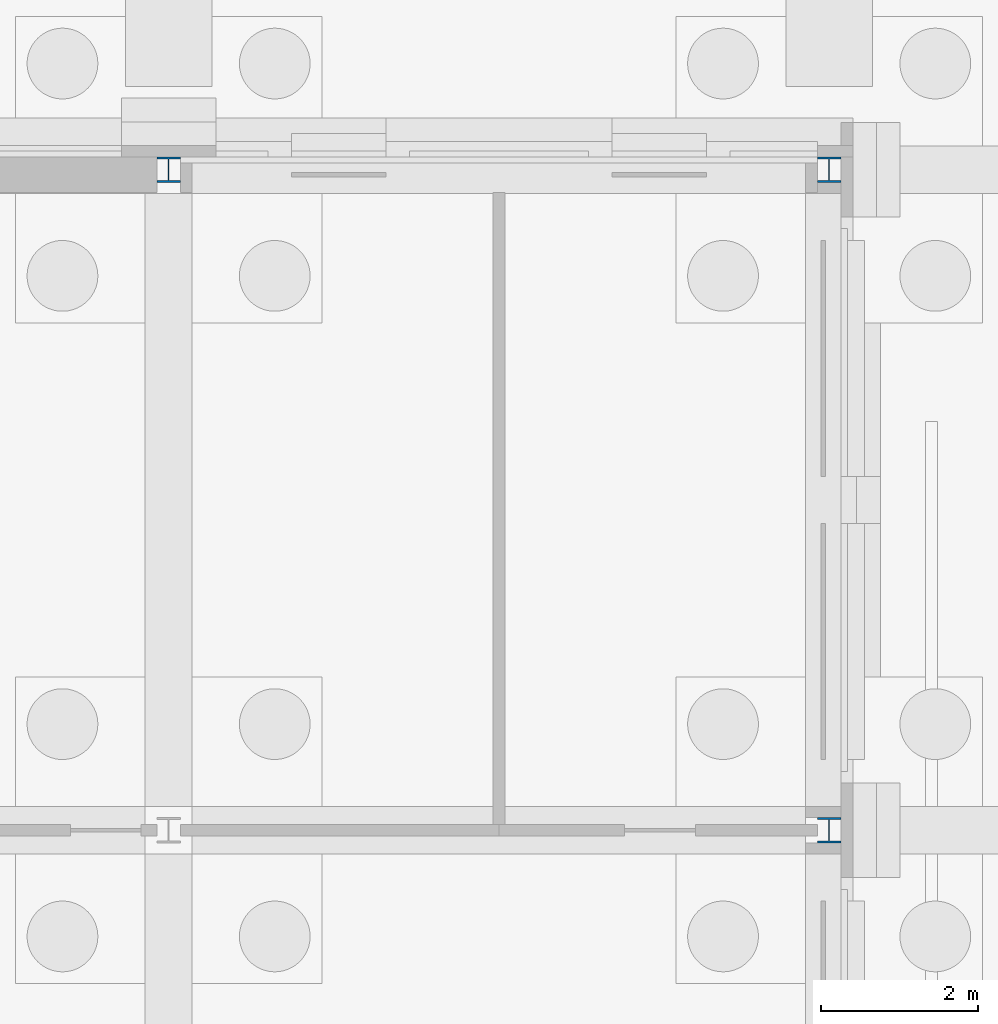
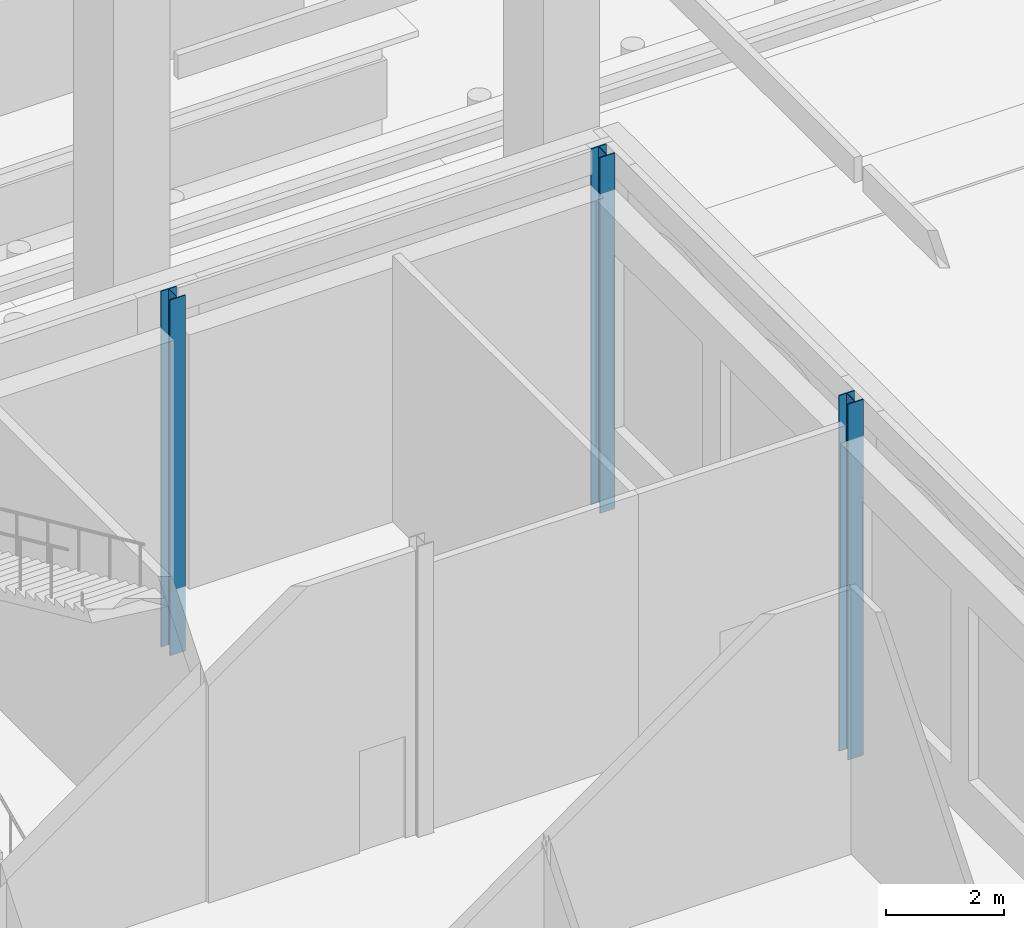
# One storey, part 26 of 222: 3 columns.
"""IFC4 building model written with IfcOpenShell, lengths in metres."""

from ifc_helpers import new_model, si_unit, direction, frame, origin, origin_2d, place, context, subcontext, project, spatial, i_section, extrude, material, material_profile, profile_set, type_object, element, save


model = new_model("IFC4")

# Units and contexts
model_context = context("Model", 3, precision=1e-05, world=origin(), true_north=direction((0.0, 1.0)))
body_context = subcontext(model_context, "Body", "Model", "MODEL_VIEW")
ifc_project = project(units=[si_unit("LENGTHUNIT", "METRE"), si_unit("AREAUNIT", "SQUARE_METRE"), si_unit("VOLUMEUNIT", "CUBIC_METRE"), si_unit("PLANEANGLEUNIT", "RADIAN"), si_unit("MASSUNIT", "GRAM", prefix="KILO")], contexts=[model_context])

# Site, building, storey
site_placement = place(None, origin())
site = spatial("IfcSite", under=ifc_project, at=site_placement, CompositionType="ELEMENT")
building_placement = place(site_placement, origin())
building = spatial("IfcBuilding", under=site, at=building_placement, Name="Sava Quay Ferry Terminal", CompositionType="ELEMENT")
storey_placement = place(building_placement, origin())
storey = spatial("IfcBuildingStorey", under=building, at=storey_placement, Name="L00", CompositionType="ELEMENT", Elevation=0.0)

# Columns
ifc_material = material(Name="Steel S355", Category="steel")
ifc_material_profile = material_profile(ifc_material, i_section(OverallWidth=0.300048828125, OverallDepth=0.320068359375, WebThickness=0.011474609375, FlangeThickness=0.0205078125, at=origin_2d()), Name="HE 320 B")
ifc_profile_set = profile_set([ifc_material_profile], Name="Steel S355")
column_type = type_object("IfcColumnType", Name="Column HE 320 B", PredefinedType="COLUMN", material=ifc_profile_set)
for number, where, z_axis, x_axis, name in (
    (1, (100.800048828125, 109.199951171875, -1.35009765625), (0.0, 0.0, 1.0), (1.0, 0.0, 0.0), "Column L00 100.8/109.2"),
    (2, (109.199951171875, 100.800048828125, -1.35009765625), (0.0, 0.0, 1.0), (1.0, 0.0, 0.0), "Column L00 109.2/100.8"),
    (3, (109.199951171875, 109.199951171875, -1.35009765625), (0.0, 0.0, 1.0), (1.0, 0.0, 0.0), "Column L00 109.2/109.2"),
):
    element("IfcColumn", number, at=place(storey_placement, frame(where, z_axis=z_axis, x_axis=x_axis)), inside=storey, type_object=column_type, Name=name, PredefinedType="COLUMN", context=body_context, shape_type="SweptSolid", body=[
        extrude(i_section(OverallWidth=0.300048828125, OverallDepth=0.320068359375, WebThickness=0.011474609375, FlangeThickness=0.0205078125, at=origin_2d()), origin(), (0.0, 0.0, 1.0), 7.35009765625),
    ])

save(model, "model.ifc")
